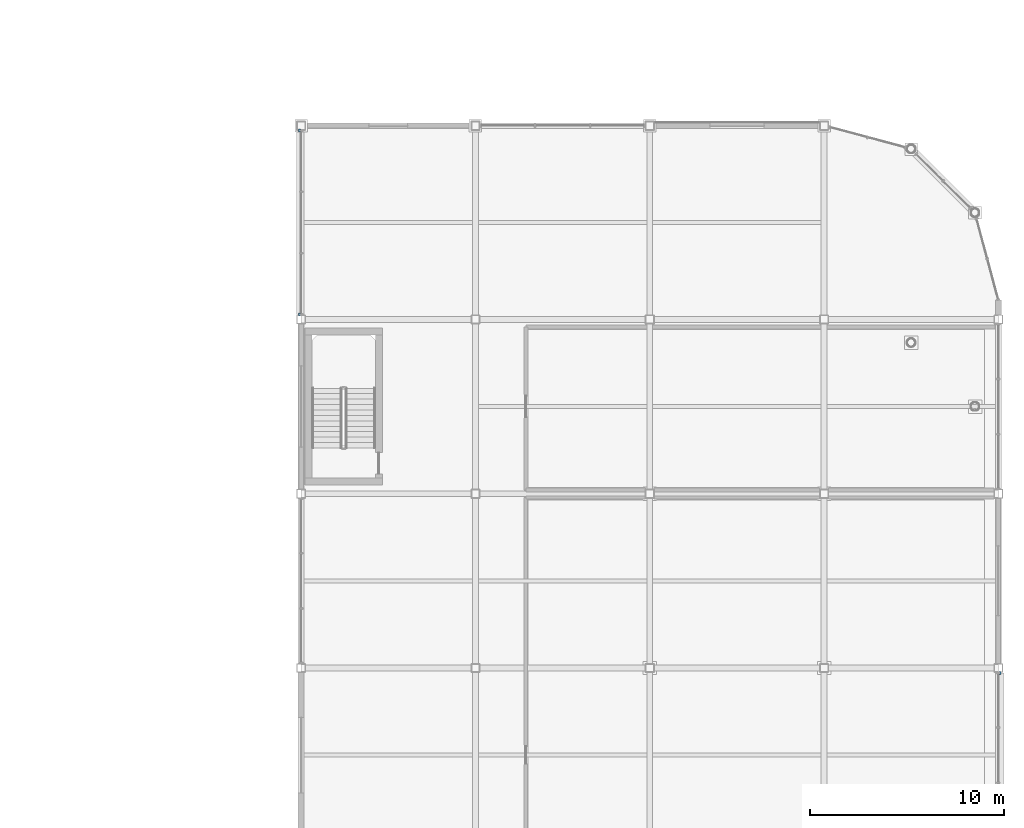
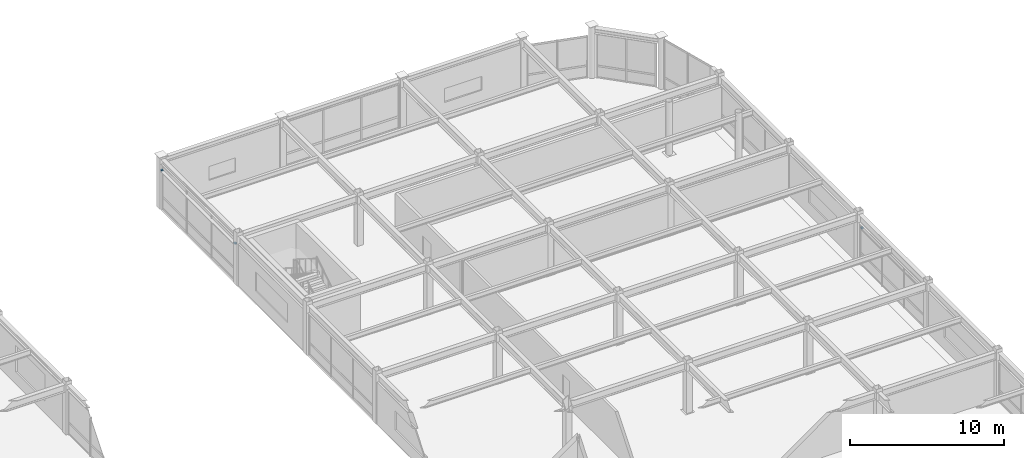
# One storey, part 88 of 105: 3 discrete accessories.
"""IFC4 building model written with IfcOpenShell, lengths in metres."""

from ifc_helpers import new_model, si_unit, direction, frame, origin, origin_2d, place, context, subcontext, project, spatial, rectangle, extrude, material, type_object, element, save


model = new_model("IFC4")

# Units and contexts
model_context = context("Model", 3, precision=1e-05, world=origin(), true_north=direction((0.0, 1.0)))
body_context = subcontext(model_context, "Body", "Model", "MODEL_VIEW")
ifc_project = project(units=[si_unit("LENGTHUNIT", "METRE"), si_unit("AREAUNIT", "SQUARE_METRE"), si_unit("VOLUMEUNIT", "CUBIC_METRE"), si_unit("PLANEANGLEUNIT", "RADIAN"), si_unit("MASSUNIT", "GRAM", prefix="KILO")], contexts=[model_context])

# Site, building, storey
site_placement = place(None, origin())
site = spatial("IfcSite", under=ifc_project, at=site_placement, CompositionType="ELEMENT")
building_placement = place(site_placement, origin())
building = spatial("IfcBuilding", under=site, at=building_placement, Name="Suzunagisa Mobility Hub", CompositionType="ELEMENT")
storey_placement = place(building_placement, frame((0.0, 0.0, 5.10009765625)))
storey = spatial("IfcBuildingStorey", under=building, at=storey_placement, Name="L01", CompositionType="ELEMENT", Elevation=5.10009765625)

# Discrete accessories
ifc_material = material(Name="Stainless Steel SUS316", Category="metal")
discrete_accessory_type = type_object("IfcDiscreteAccessoryType", Name="Stainless Sunshade Outrigger Bracket BRK-01", PredefinedType="BRACKET", material=ifc_material)
for number, where, z_axis, x_axis, name in (
    (1, (180.0849609375, 79.7451171875, 2.809814453125), (0.0, 0.0, 1.0), (0.0, 1.0, 0.0), "Sunshade Outrigger Bracket BRK-40.2"),
    (2, (143.9150390625, 107.7451171875, 3.0498046875), (0.0, 0.0, 1.0), (0.0, -1.0, 0.0), "Sunshade Outrigger Bracket BRK-41.1"),
    (3, (143.9150390625, 98.2548828125, 3.0498046875), (0.0, 0.0, 1.0), (0.0, -1.0, 0.0), "Sunshade Outrigger Bracket BRK-41.2"),
):
    element("IfcDiscreteAccessory", number, at=place(storey_placement, frame(where, z_axis=z_axis, x_axis=x_axis)), inside=storey, type_object=discrete_accessory_type, Name=name, PredefinedType="BRACKET", context=body_context, shape_type="SweptSolid", body=[
        extrude(rectangle(XDim=0.159912109375, YDim=0.1201171875, at=origin_2d()), origin(), (0.0, 0.0, 1.0), 0.080078125),
    ])

save(model, "model.ifc")
